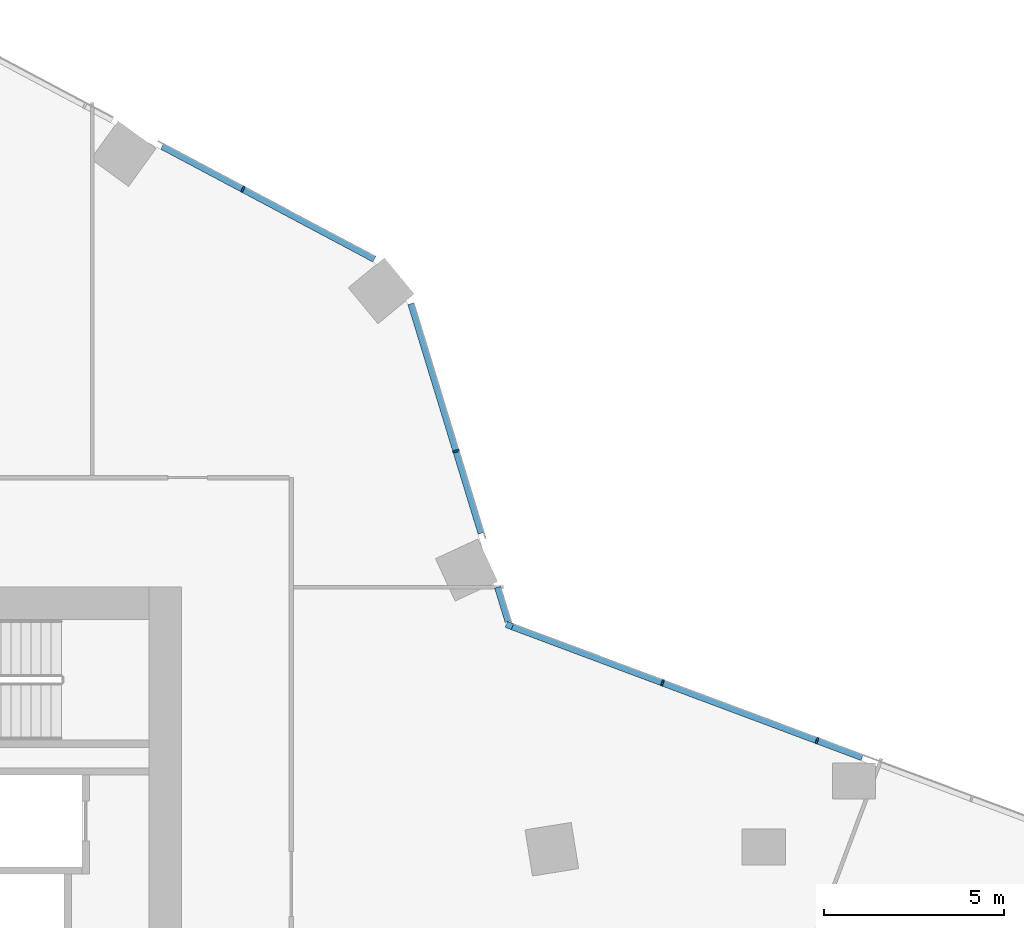
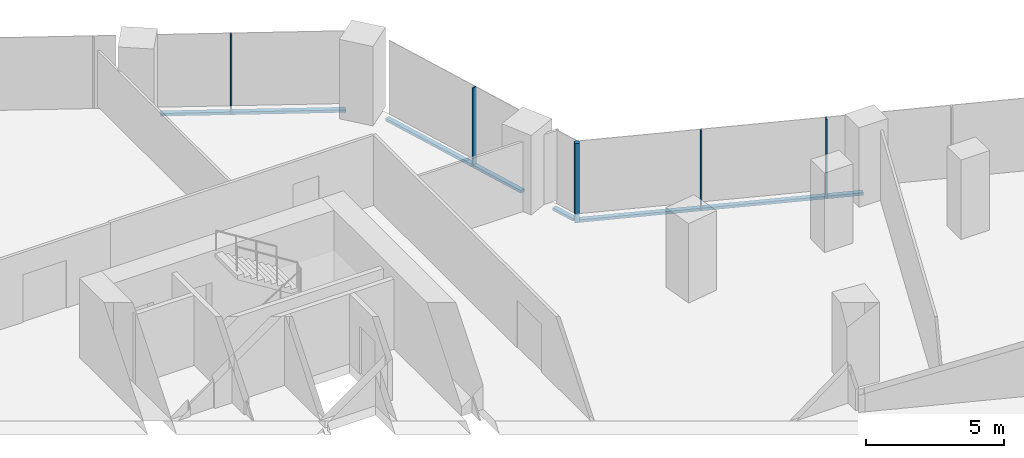
# One storey, part 13 of 31: 9 members, 3 elements without a shape of their own.
"""IFC4 building model written with IfcOpenShell, lengths in metres."""

from ifc_helpers import new_model, si_unit, direction, frame, origin, origin_2d, place, context, subcontext, project, spatial, rectangle, extrude, material, material_profile, profile_set, type_object, element, aggregate, save


model = new_model("IFC4")

# Units and contexts
model_context = context("Model", 3, precision=1e-05, world=origin(), true_north=direction((0.0, 1.0)))
body_context = subcontext(model_context, "Body", "Model", "MODEL_VIEW")
ifc_project = project(units=[si_unit("LENGTHUNIT", "METRE"), si_unit("AREAUNIT", "SQUARE_METRE"), si_unit("VOLUMEUNIT", "CUBIC_METRE"), si_unit("PLANEANGLEUNIT", "RADIAN"), si_unit("MASSUNIT", "GRAM", prefix="KILO")], contexts=[model_context])

# Site, building, storey
site_placement = place(None, origin())
site = spatial("IfcSite", under=ifc_project, at=site_placement, CompositionType="ELEMENT")
building_placement = place(site_placement, origin())
building = spatial("IfcBuilding", under=site, at=building_placement, Name="Orlundy Tower", CompositionType="ELEMENT")
storey_placement = place(building_placement, frame((0.0, 0.0, 91.199951171875)))
storey = spatial("IfcBuildingStorey", under=building, at=storey_placement, Name="L22", CompositionType="ELEMENT", Elevation=91.199951171875)

# Curtain wall, member
ifc_material_1 = material(Name="Aluminium bronze anodised", Category="aluminium")
curtain_wall_type = type_object("IfcCurtainWallType", Name="CW1 wall", PredefinedType="NOTDEFINED", material=ifc_material_1)
curtain_wall_1_placement = place(storey_placement, origin())
curtain_wall_1 = element("IfcCurtainWall", 1, at=curtain_wall_1_placement, inside=storey, type_object=curtain_wall_type, Name="CW1 run 06", PredefinedType="NOTDEFINED")
ifc_material_2 = material(Name="Aluminium bronze anodised", Category="aluminium")
ifc_material_profile_1 = material_profile(ifc_material_2, rectangle(XDim=0.179931640625, YDim=0.179931640625, at=origin_2d()), Name="CW1 corner post 180x180")
ifc_profile_set_1 = profile_set([ifc_material_profile_1], Name="Aluminium bronze anodised")
member_type_1 = type_object("IfcMemberType", Name="CW1 corner post 180x180", PredefinedType="MULLION", material=ifc_profile_set_1)
member_1_placement = place(storey_placement, frame((28.1220703125, 10.933837890625, -0.39990234375), z_axis=(0.0, 0.0, 1.0), x_axis=(0.350203812273, 0.93667352363, 0.0)))
member_1 = element("IfcMember", 2, at=member_1_placement, type_object=member_type_1, Name="CW1 mullion 26", PredefinedType="MULLION", context=body_context, shape_type="SweptSolid", body=[
    extrude(rectangle(XDim=0.179931640625, YDim=0.179931640625, at=origin_2d()), origin(), (0.0, 0.0, 1.0), 3.5),
])

curtain_wall_2_placement = place(storey_placement, origin())
curtain_wall_2 = element("IfcCurtainWall", 3, at=curtain_wall_2_placement, inside=storey, type_object=curtain_wall_type, Name="CW1 run 04", PredefinedType="NOTDEFINED")
ifc_material_3 = material(Name="Aluminium bronze anodised", Category="aluminium")
ifc_material_profile_2 = material_profile(ifc_material_3, rectangle(XDim=0.179931640625, YDim=0.050048828125, at=origin_2d()), Name="CW1 mullion 50x180")
ifc_profile_set_2 = profile_set([ifc_material_profile_2], Name="Aluminium bronze anodised")
member_type_2 = type_object("IfcMemberType", Name="CW1 mullion 50x180", PredefinedType="MULLION", material=ifc_profile_set_2)
member_2_placement = place(storey_placement, frame((20.70947265625, 23.06787109375, -0.39990234375), z_axis=(0.0, 0.0, 1.0), x_axis=(0.469445471129, 0.882961465544, 0.0)))
member_2 = element("IfcMember", 4, at=member_2_placement, type_object=member_type_2, Name="CW1 mullion 23", PredefinedType="MULLION", context=body_context, shape_type="SweptSolid", body=[
    extrude(rectangle(XDim=0.179931640625, YDim=0.050048828125, at=origin_2d()), origin(), (0.0, 0.0, 1.0), 3.5),
])

curtain_wall_3_placement = place(storey_placement, origin())
curtain_wall_3 = element("IfcCurtainWall", 5, at=curtain_wall_3_placement, inside=storey, type_object=curtain_wall_type, Name="CW1 run 05", PredefinedType="NOTDEFINED")
member_3_placement = place(storey_placement, frame((26.638671875, 15.786376953125, -0.39990234375), z_axis=(0.0, 0.0, 1.0), x_axis=(0.956307579156, 0.292362470314, 0.0)))
member_3 = element("IfcMember", 6, at=member_3_placement, type_object=member_type_2, Name="CW1 mullion 25", PredefinedType="MULLION", context=body_context, shape_type="SweptSolid", body=[
    extrude(rectangle(XDim=0.179931640625, YDim=0.050048828125, at=origin_2d()), origin(), (0.0, 0.0, 1.0), 3.5),
])

# Member
member_4_placement = place(storey_placement, frame((32.378662109375, 9.34228515625, -0.39990234375), z_axis=(0.0, 0.0, 1.0), x_axis=(0.350203812273, 0.93667352363, 0.0)))
member_4 = element("IfcMember", 7, at=member_4_placement, type_object=member_type_2, Name="CW1 mullion 27", PredefinedType="MULLION", context=body_context, shape_type="SweptSolid", body=[
    extrude(rectangle(XDim=0.179931640625, YDim=0.050048828125, at=origin_2d()), origin(), (0.0, 0.0, 1.0), 3.5),
])

member_5_placement = place(storey_placement, frame((36.6767578125, 7.7353515625, -0.39990234375), z_axis=(0.0, 0.0, 1.0), x_axis=(0.350203812273, 0.93667352363, 0.0)))
member_5 = element("IfcMember", 8, at=member_5_placement, type_object=member_type_2, Name="CW1 mullion 28", PredefinedType="MULLION", context=body_context, shape_type="SweptSolid", body=[
    extrude(rectangle(XDim=0.179931640625, YDim=0.050048828125, at=origin_2d()), origin(), (0.0, 0.0, 1.0), 3.5),
])

ifc_material_4 = material(Name="Aluminium bronze anodised", Category="aluminium")
ifc_material_profile_3 = material_profile(ifc_material_4, rectangle(XDim=0.179931640625, YDim=0.1201171875, at=origin_2d()), Name="CW1 transom 180x120")
ifc_profile_set_3 = profile_set([ifc_material_profile_3], Name="Aluminium bronze anodised")
member_type_3 = type_object("IfcMemberType", Name="CW1 transom 180x120", PredefinedType="USERDEFINED", material=ifc_profile_set_3)
member_6_placement = place(storey_placement, frame((18.46337890625, 24.261962890625, -0.33984375), z_axis=(0.882967709111, -0.469433727662, 0.0), x_axis=(0.469433727662, 0.882967709111, 0.0)))
member_6 = element("IfcMember", 9, at=member_6_placement, type_object=member_type_3, Name="CW1 transom", ObjectType="TRANSOM", PredefinedType="USERDEFINED", context=body_context, shape_type="SweptSolid", body=[
    extrude(rectangle(XDim=0.179931640625, YDim=0.1201171875, at=origin_2d()), origin(), (0.0, 0.0, 1.0), 6.6865234375),
])

aggregate(curtain_wall_2, [member_2, member_6])

member_7_placement = place(storey_placement, frame((25.384521484375, 19.88818359375, -0.33984375), z_axis=(0.29237817576, -0.956302777545, 0.0), x_axis=(0.956302777545, 0.29237817576, 0.0)))
member_7 = element("IfcMember", 10, at=member_7_placement, type_object=member_type_3, Name="CW1 transom", ObjectType="TRANSOM", PredefinedType="USERDEFINED", context=body_context, shape_type="SweptSolid", body=[
    extrude(rectangle(XDim=0.179931640625, YDim=0.1201171875, at=origin_2d()), origin(), (0.0, 0.0, 1.0), 6.6826171875),
])

member_8_placement = place(storey_placement, frame((27.796630859375, 11.998291015625, -0.33984375), z_axis=(0.292317803048, -0.956321233698, 0.0), x_axis=(0.956321233698, 0.292317803048, 0.0)))
member_8 = element("IfcMember", 11, at=member_8_placement, type_object=member_type_3, Name="CW1 transom", ObjectType="TRANSOM", PredefinedType="USERDEFINED", context=body_context, shape_type="SweptSolid", body=[
    extrude(rectangle(XDim=0.179931640625, YDim=0.1201171875, at=origin_2d()), origin(), (0.0, 0.0, 1.0), 0.999755859375),
])

aggregate(curtain_wall_3, [member_3, member_7, member_8])

member_9_placement = place(storey_placement, frame((28.206298828125, 10.90234375, -0.33984375), z_axis=(0.936668771124, -0.350216523313, 0.0), x_axis=(0.350216523313, 0.936668771124, 0.0)))
member_9 = element("IfcMember", 12, at=member_9_placement, type_object=member_type_3, Name="CW1 transom", ObjectType="TRANSOM", PredefinedType="USERDEFINED", context=body_context, shape_type="SweptSolid", body=[
    extrude(rectangle(XDim=0.179931640625, YDim=0.1201171875, at=origin_2d()), origin(), (0.0, 0.0, 1.0), 10.38623046875),
])

aggregate(curtain_wall_1, [member_1, member_4, member_5, member_9])

save(model, "model.ifc")
